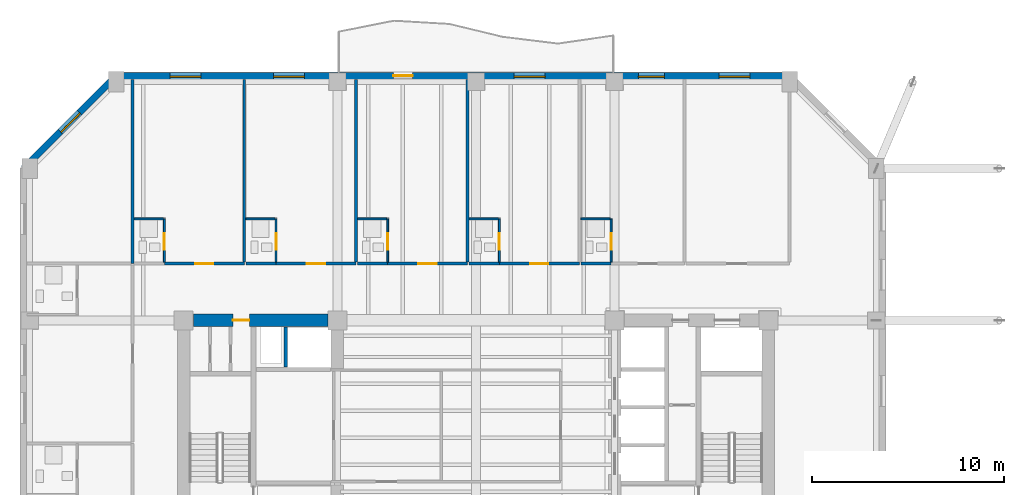
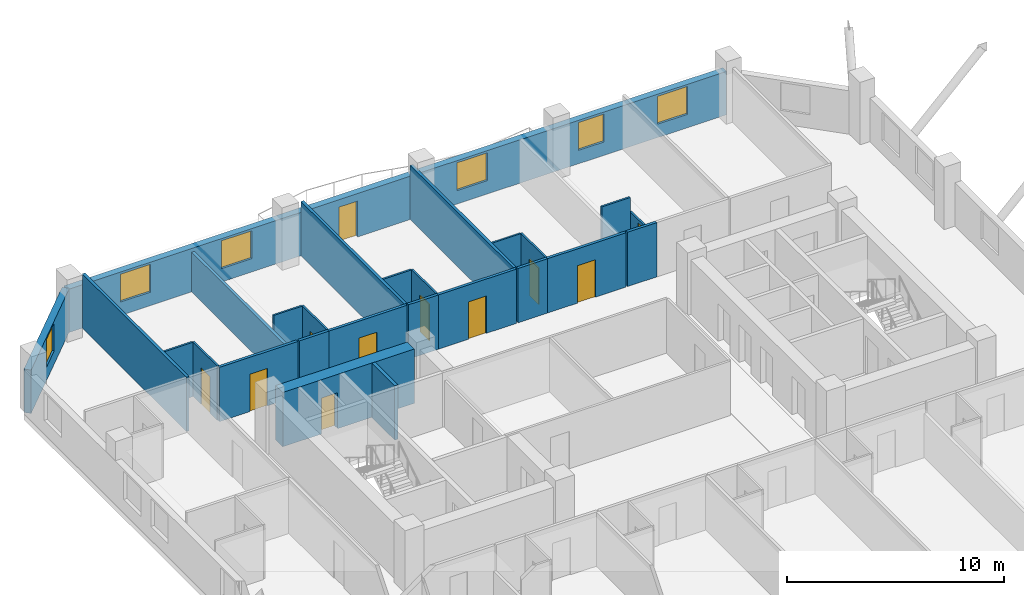
# One storey, part 8 of 14: 26 walls, 11 doors, 6 windows, 17 openings.
"""IFC4 building model written with IfcOpenShell, lengths in metres."""

import ifcopenshell
import ifcopenshell.guid

model = None  # the IFC model being written
_history = None  # IfcOwnerHistory: only IFC2X3 demands one
_inside = {}  # id of a spatial element -> (the spatial element, [elements in it])
_under = {}  # id of a project, library or spatial element -> (it, [spatial elements below it])
_declared = {}  # id of a project -> (the project, [libraries it declares])
_typed = {}  # id of a type object -> (the type object, [elements of that type])
_made_of = {}  # id of a material, layer set ... -> (it, [elements and type objects made of it])


def new_model(schema):
    """Start an empty IFC model of exactly this schema.

    Asked for "IFC4X3", IfcOpenShell would pick the latest addendum, in which some entities
    have other attributes; the version numbers below select the first issue.
    IFC2X3 requires an IfcOwnerHistory on every rooted entity: one is made here for all.
    """
    global model, _history
    if schema == "IFC4X3":
        model = ifcopenshell.file(schema_version=(4, 3, 0, 0))
    else:
        model = ifcopenshell.file(schema=schema)
    _inside.clear()
    _under.clear()
    _declared.clear()
    _typed.clear()
    _made_of.clear()
    _history = None
    if model.schema == "IFC2X3":
        org = make("IfcOrganization", Name="unknown")
        user = make(
            "IfcPersonAndOrganization",
            ThePerson=make("IfcPerson", FamilyName="unknown"),
            TheOrganization=org,
        )
        app = make(
            "IfcApplication",
            ApplicationDeveloper=org,
            Version="unknown",
            ApplicationFullName="unknown",
            ApplicationIdentifier="unknown",
        )
        _history = make(
            "IfcOwnerHistory",
            OwningUser=user,
            OwningApplication=app,
            ChangeAction="ADDED",
            CreationDate=0,
        )
    return model


def make(cls, **values):
    """One entity of the class cls with the attributes given. An attribute that is None is left unset."""
    return model.create_entity(
        cls, **{name: value for name, value in values.items() if value is not None}
    )


def rooted(cls, **values):
    """An entity with a GlobalId (a new one), such as an element, a storey or a relation."""
    return make(cls, GlobalId=ifcopenshell.guid.new(), OwnerHistory=_history, **values)


def si_unit(unit_type, name, prefix=None):
    """IfcSIUnit, for example si_unit("LENGTHUNIT", "METRE", prefix="MILLI")."""
    return make("IfcSIUnit", UnitType=unit_type, Prefix=prefix, Name=name)


def assignment(units):
    """IfcUnitAssignment: the units of a project."""
    return None if units is None else make("IfcUnitAssignment", Units=units)


def point(xyz):
    """IfcCartesianPoint."""
    return None if xyz is None else make("IfcCartesianPoint", Coordinates=xyz)


def direction(xyz):
    """IfcDirection."""
    return None if xyz is None else make("IfcDirection", DirectionRatios=xyz)


def frame(location, z_axis=None, x_axis=None):
    """IfcAxis2Placement3D, a coordinate frame: its origin and axes. An axis left out is left unset."""
    return make(
        "IfcAxis2Placement3D",
        Location=point(location),
        Axis=direction(z_axis),
        RefDirection=direction(x_axis),
    )


def frame_2d(location, x_axis=None):
    """IfcAxis2Placement2D, a coordinate frame in the plane: its origin and x axis."""
    return make(
        "IfcAxis2Placement2D", Location=point(location), RefDirection=direction(x_axis)
    )


def origin():
    """The frame at (0, 0, 0) with its axes left unset."""
    return frame((0.0, 0.0, 0.0))


def place(relative_to, where):
    """IfcLocalPlacement: puts the frame where relative to a parent placement (None: the world)."""
    return make(
        "IfcLocalPlacement", PlacementRelTo=relative_to, RelativePlacement=where
    )


def context(
    kind, dimensions, precision=None, world=None, true_north=None, identifier=None
):
    """IfcGeometricRepresentationContext, for example the 3D "Model" context."""
    return make(
        "IfcGeometricRepresentationContext",
        ContextIdentifier=identifier,
        ContextType=kind,
        CoordinateSpaceDimension=dimensions,
        Precision=precision,
        WorldCoordinateSystem=world,
        TrueNorth=true_north,
    )


def subcontext(parent, identifier, kind, view, scale=None):
    """IfcGeometricRepresentationSubContext, for example "Body" below "Model"."""
    return make(
        "IfcGeometricRepresentationSubContext",
        ContextIdentifier=identifier,
        ContextType=kind,
        ParentContext=parent,
        TargetScale=scale,
        TargetView=view,
    )


def project(units=None, contexts=None):
    """IfcProject with its units and contexts."""
    return rooted(
        "IfcProject",
        Name="project",
        RepresentationContexts=contexts,
        UnitsInContext=assignment(units),
    )


def spatial(cls, under=None, at=None, **own):
    """A site, building, storey or space (cls), placed at a placement, below another one or the project."""
    s = rooted(cls, ObjectPlacement=at, **own)
    if under is not None:
        _under.setdefault(under.id(), (under, []))[1].append(s)
    return s


def profile(cls, at=None, kind="AREA", **sizes):
    """A parametric profile (cls). Its sizes go by their IFC names, for example OverallWidth=200.0."""
    return make(cls, ProfileType=kind, Position=at, **sizes)


def rectangle(**sizes):
    """IfcRectangleProfileDef."""
    return profile("IfcRectangleProfileDef", **sizes)


def extrude(swept, where, along, depth):
    """IfcExtrudedAreaSolid: the profile swept, set in the frame where, extruded along a direction by depth."""
    return make(
        "IfcExtrudedAreaSolid",
        SweptArea=swept,
        Position=where,
        ExtrudedDirection=direction(along),
        Depth=depth,
    )


def shape(context_of_items, identifier, shape_type, items):
    """IfcShapeRepresentation: the items that make up one representation, for example the "Body"."""
    return make(
        "IfcShapeRepresentation",
        ContextOfItems=context_of_items,
        RepresentationIdentifier=identifier,
        RepresentationType=shape_type,
        Items=items,
    )


def material(Name=None, Category=None):
    """IfcMaterial."""
    return make("IfcMaterial", Name=Name, Category=Category)


def layer(
    of_material, thickness, ventilated=None, Name=None, Category=None, Priority=None
):
    """IfcMaterialLayer: one layer of a wall or slab, of a material (None: an air gap)."""
    return make(
        "IfcMaterialLayer",
        Material=of_material,
        LayerThickness=thickness,
        IsVentilated=ventilated,
        Name=Name,
        Category=Category,
        Priority=Priority,
    )


def layer_set(layers, Name=None):
    """IfcMaterialLayerSet."""
    return make("IfcMaterialLayerSet", MaterialLayers=layers, LayerSetName=Name)


def made_of(thing, what):
    """Note that an element or type object is made of a material, layer set ...; save() writes the relation."""
    if what is not None:
        _made_of.setdefault(what.id(), (what, []))[1].append(thing)
    return thing


def type_object(cls, material=None, **own):
    """A type object (cls), such as IfcWallType, which elements share."""
    return made_of(rooted(cls, **own), material)


def element(
    cls,
    number,
    at=None,
    inside=None,
    cuts=None,
    type_object=None,
    material=None,
    context=None,
    identifier="Body",
    shape_type=None,
    held_by="IfcProductDefinitionShape",
    body=None,
    shapes=None,
    **own,
):
    """One element of the class cls, such as IfcWall. Its Tag is "e" and its number.

    at: its placement. inside: the storey or other place that contains it. cuts: it is an
    opening in that element (IfcRelVoidsElement). A single representation is given by context,
    identifier, shape_type and body (its items); several are given by shapes. held_by: the class
    of the entity that holds the representations. save() writes the other relations.
    """
    e = rooted(cls, Tag="e%d" % number, ObjectPlacement=at, **own)
    if body is not None:
        shapes = [shape(context, identifier, shape_type, body)]
    if shapes is not None:
        e.Representation = make(held_by, Representations=shapes)
    if inside is not None:
        _inside.setdefault(inside.id(), (inside, []))[1].append(e)
    if cuts is not None:
        rooted(
            "IfcRelVoidsElement", RelatingBuildingElement=cuts, RelatedOpeningElement=e
        )
    if type_object is not None:
        _typed.setdefault(type_object.id(), (type_object, []))[1].append(e)
    return made_of(e, material)


def fill(opening, filler):
    """IfcRelFillsElement: the door or window that sits in an opening."""
    return rooted(
        "IfcRelFillsElement",
        RelatingOpeningElement=opening,
        RelatedBuildingElement=filler,
    )


def aggregate(whole, parts):
    """IfcRelAggregates: a whole, such as a stair, and the parts it consists of."""
    return rooted("IfcRelAggregates", RelatingObject=whole, RelatedObjects=parts)


def save(model, path):
    """Write the relations noted so far, then the file.

    IfcRelAggregates (storeys below a building ...), IfcRelContainedInSpatialStructure (elements
    in a storey), IfcRelDefinesByType, IfcRelAssociatesMaterial and IfcRelDeclares: one each for
    every whole, place, type object, material and project.
    """
    for whole, parts in _under.values():
        aggregate(whole, parts)
    for where, things in _inside.values():
        rooted(
            "IfcRelContainedInSpatialStructure",
            RelatedElements=things,
            RelatingStructure=where,
        )
    for kind, things in _typed.values():
        rooted("IfcRelDefinesByType", RelatedObjects=things, RelatingType=kind)
    for what, things in _made_of.values():
        rooted("IfcRelAssociatesMaterial", RelatedObjects=things, RelatingMaterial=what)
    for by, libraries in _declared.values():
        rooted("IfcRelDeclares", RelatingContext=by, RelatedDefinitions=libraries)
    model.write(path)


model = new_model("IFC4")

# Units and contexts
model_context = context("Model", 3, precision=1e-05, world=origin(), true_north=direction((0.0, 1.0)))
body_context = subcontext(model_context, "Body", "Model", "MODEL_VIEW")
ifc_project = project(units=[si_unit("LENGTHUNIT", "METRE"), si_unit("AREAUNIT", "SQUARE_METRE"), si_unit("VOLUMEUNIT", "CUBIC_METRE"), si_unit("PLANEANGLEUNIT", "RADIAN"), si_unit("MASSUNIT", "GRAM", prefix="KILO")], contexts=[model_context])

# Site, building, storey
site_placement = place(None, origin())
site = spatial("IfcSite", under=ifc_project, at=site_placement, CompositionType="ELEMENT")
building_placement = place(site_placement, origin())
building = spatial("IfcBuilding", under=site, at=building_placement, Name="Kranthara Brick Stack", CompositionType="ELEMENT")
storey_placement = place(building_placement, frame((0.0, 0.0, 137.800048828125)))
storey = spatial("IfcBuildingStorey", under=building, at=storey_placement, Name="L34", CompositionType="ELEMENT", Elevation=137.800048828125)

# Wall, opening, window
ifc_material_1 = material(Name="Kiln-fired clay brick masonry M15", Category="masonry")
ifc_layer_1 = layer(ifc_material_1, 0.35009765625)
ifc_layer_set_1 = layer_set([ifc_layer_1], Name="Kiln-fired clay brick masonry M15")
wall_type_1 = type_object("IfcWallType", Name="WL-BRK-SPND-350", PredefinedType="STANDARD", material=ifc_layer_set_1)
wall_1_placement = place(storey_placement, frame((4.4951171875, 41.5, 0.0), z_axis=(0.0, 0.0, 1.0), x_axis=(0.707106781187, 0.707106781187, 0.0)))
wall_1 = element("IfcWall", 1, at=wall_1_placement, inside=storey, type_object=wall_type_1, Name="L34 Exterior Brick Facade Wall NW 1", PredefinedType="STANDARD", context=body_context, shape_type="SweptSolid", body=[
    extrude(rectangle(XDim=6.795166015625, YDim=0.35009765625, at=frame_2d((3.3974609375, 0.0))), origin(), (0.0, 0.0, 1.0), 2.43505859375),
])
opening_1_placement = place(wall_1_placement, frame((2.697998046875, 0.0, 0.75)))
opening_1 = element("IfcOpeningElement", 2, at=opening_1_placement, cuts=wall_1, Name="Opening WN10", PredefinedType="OPENING", context=body_context, shape_type="SweptSolid", body=[
    extrude(rectangle(XDim=1.39990234375, YDim=1.56494140625, at=frame_2d((0.699951171875, 0.782470703125))), frame((0.0, 0.18505859375, 0.0), z_axis=(0.0, -1.0, 0.0), x_axis=(1.0, 0.0, 0.0)), (0.0, 0.0, 1.0), 0.3701171875),
])
ifc_material_2 = material(Name="Double-glazed low-E solar control glass", Category="glass")
window_type_1 = type_object("IfcWindowType", Name="WN-CHM-1400x1750", PartitioningType="SINGLE_PANEL", PredefinedType="WINDOW", material=ifc_material_2)
window_1_placement = place(opening_1_placement, origin())
window_1 = element("IfcWindow", 3, at=window_1_placement, inside=storey, type_object=window_type_1, Name="L34 NW Chamfer Corner Window", OverallHeight=1.56494140625, OverallWidth=1.39990234375, PartitioningType="SINGLE_PANEL", PredefinedType="WINDOW", context=body_context, shape_type="SweptSolid", body=[
    extrude(rectangle(XDim=1.39990234375, YDim=1.56494140625, at=frame_2d((0.699951171875, 0.782470703125))), frame((0.0, -0.010009765625, 0.0), z_axis=(0.0, -1.0, 0.0), x_axis=(1.0, 0.0, 0.0)), (0.0, 0.0, 1.0), 0.06005859375),
])
fill(opening_1, window_1)

# Wall, openings, door, windows
wall_2_placement = place(storey_placement, frame((9.300048828125, 46.304931640625, 0.0), z_axis=(0.0, 0.0, 1.0), x_axis=(1.0, 0.0, 0.0)))
wall_2 = element("IfcWall", 4, at=wall_2_placement, inside=storey, type_object=wall_type_1, Name="L34 Exterior Brick Facade Wall NORTH 1", PredefinedType="STANDARD", context=body_context, shape_type="SweptSolid", body=[
    extrude(rectangle(XDim=35.0, YDim=0.35009765625, at=frame_2d((17.5, 0.0))), origin(), (0.0, 0.0, 1.0), 2.43505859375),
])
opening_2_placement = place(wall_2_placement, frame((14.39990234375, 0.0, 0.0)))
opening_2 = element("IfcOpeningElement", 5, at=opening_2_placement, cuts=wall_2, Name="Opening D03", PredefinedType="OPENING", context=body_context, shape_type="SweptSolid", body=[
    extrude(rectangle(XDim=1.0, YDim=2.02001953125, at=frame_2d((0.5, 1.010009765625))), frame((0.0, 0.18505859375, 0.0), z_axis=(0.0, -1.0, 0.0), x_axis=(1.0, 0.0, 0.0)), (0.0, 0.0, 1.0), 0.3701171875),
])
opening_3_placement = place(wall_2_placement, frame((2.800048828125, 0.0, 0.75)))
opening_3 = element("IfcOpeningElement", 6, at=opening_3_placement, cuts=wall_2, Name="Opening WN04", PredefinedType="OPENING", context=body_context, shape_type="SweptSolid", body=[
    extrude(rectangle(XDim=1.60009765625, YDim=1.56494140625, at=frame_2d((0.800048828125, 0.782470703125))), frame((0.0, 0.18505859375, 0.0), z_axis=(0.0, -1.0, 0.0), x_axis=(1.0, 0.0, 0.0)), (0.0, 0.0, 1.0), 0.3701171875),
])
opening_4_placement = place(wall_2_placement, frame((8.177978515625, 0.0, 0.75)))
opening_4 = element("IfcOpeningElement", 7, at=opening_4_placement, cuts=wall_2, Name="Opening WN04", PredefinedType="OPENING", context=body_context, shape_type="SweptSolid", body=[
    extrude(rectangle(XDim=1.60009765625, YDim=1.56494140625, at=frame_2d((0.800048828125, 0.782470703125))), frame((0.0, 0.18505859375, 0.0), z_axis=(0.0, -1.0, 0.0), x_axis=(1.0, 0.0, 0.0)), (0.0, 0.0, 1.0), 0.3701171875),
])
opening_5_placement = place(wall_2_placement, frame((20.68603515625, 0.0, 0.75)))
opening_5 = element("IfcOpeningElement", 8, at=opening_5_placement, cuts=wall_2, Name="Opening WN04", PredefinedType="OPENING", context=body_context, shape_type="SweptSolid", body=[
    extrude(rectangle(XDim=1.60009765625, YDim=1.56494140625, at=frame_2d((0.800048828125, 0.782470703125))), frame((0.0, 0.18505859375, 0.0), z_axis=(0.0, -1.0, 0.0), x_axis=(1.0, 0.0, 0.0)), (0.0, 0.0, 1.0), 0.3701171875),
])
opening_6_placement = place(wall_2_placement, frame((27.14306640625, 0.0, 0.75)))
opening_6 = element("IfcOpeningElement", 9, at=opening_6_placement, cuts=wall_2, Name="Opening WN06", PredefinedType="OPENING", context=body_context, shape_type="SweptSolid", body=[
    extrude(rectangle(XDim=1.35009765625, YDim=1.56494140625, at=frame_2d((0.675048828125, 0.782470703125))), frame((0.0, 0.18505859375, 0.0), z_axis=(0.0, -1.0, 0.0), x_axis=(1.0, 0.0, 0.0)), (0.0, 0.0, 1.0), 0.3701171875),
])
opening_7_placement = place(wall_2_placement, frame((31.330078125, 0.0, 0.75)))
opening_7 = element("IfcOpeningElement", 10, at=opening_7_placement, cuts=wall_2, Name="Opening WN04", PredefinedType="OPENING", context=body_context, shape_type="SweptSolid", body=[
    extrude(rectangle(XDim=1.60009765625, YDim=1.56494140625, at=frame_2d((0.800048828125, 0.782470703125))), frame((0.0, 0.18505859375, 0.0), z_axis=(0.0, -1.0, 0.0), x_axis=(1.0, 0.0, 0.0)), (0.0, 0.0, 1.0), 0.3701171875),
])
ifc_material_3 = material(Name="Bronze anodised aluminium and laminated glass", Category="aluminium")
door_type_1 = type_object("IfcDoorType", Name="DR-BALC-1000", OperationType="NOTDEFINED", PredefinedType="DOOR", material=ifc_material_3)
door_1_placement = place(opening_2_placement, origin())
door_1 = element("IfcDoor", 11, at=door_1_placement, inside=storey, type_object=door_type_1, Name="L34 North Balcony Terrace Door", OperationType="SINGLE_SWING_RIGHT", OverallHeight=2.02001953125, OverallWidth=1.0, PredefinedType="DOOR", context=body_context, shape_type="SweptSolid", body=[
    extrude(rectangle(XDim=1.0, YDim=2.02001953125, at=frame_2d((0.5, 1.010009765625))), frame((0.0, 0.02490234375, 0.0), z_axis=(0.0, -1.0, 0.0), x_axis=(1.0, 0.0, 0.0)), (0.0, 0.0, 1.0), 0.050048828125),
])
fill(opening_2, door_1)
ifc_material_4 = material(Name="Double-glazed low-E solar control glass", Category="glass")
window_type_2 = type_object("IfcWindowType", Name="WN-HTL-1350x1850", PartitioningType="SINGLE_PANEL", PredefinedType="WINDOW", material=ifc_material_4)
window_2_placement = place(opening_6_placement, origin())
window_2 = element("IfcWindow", 12, at=window_2_placement, inside=storey, type_object=window_type_2, Name="L34 North Deep-Set Brick Window 04", OverallHeight=1.56494140625, OverallWidth=1.35009765625, PartitioningType="SINGLE_PANEL", PredefinedType="WINDOW", context=body_context, shape_type="SweptSolid", body=[
    extrude(rectangle(XDim=1.35009765625, YDim=1.56494140625, at=frame_2d((0.675048828125, 0.782470703125))), frame((0.0, -0.010009765625, 0.0), z_axis=(0.0, -1.0, 0.0), x_axis=(1.0, 0.0, 0.0)), (0.0, 0.0, 1.0), 0.06005859375),
])
fill(opening_6, window_2)
ifc_material_5 = material(Name="Double-glazed low-E solar control glass", Category="glass")
window_type_3 = type_object("IfcWindowType", Name="WN-HTL-1600x1850", PartitioningType="DOUBLE_PANEL_VERTICAL", PredefinedType="WINDOW", material=ifc_material_5)
window_3_placement = place(opening_3_placement, origin())
window_3 = element("IfcWindow", 13, at=window_3_placement, inside=storey, type_object=window_type_3, Name="L34 North Deep-Set Brick Window 01", OverallHeight=1.56494140625, OverallWidth=1.60009765625, PartitioningType="SINGLE_PANEL", PredefinedType="WINDOW", context=body_context, shape_type="SweptSolid", body=[
    extrude(rectangle(XDim=1.60009765625, YDim=1.56494140625, at=frame_2d((0.800048828125, 0.782470703125))), frame((0.0, -0.010009765625, 0.0), z_axis=(0.0, -1.0, 0.0), x_axis=(1.0, 0.0, 0.0)), (0.0, 0.0, 1.0), 0.06005859375),
])
fill(opening_3, window_3)
window_4_placement = place(opening_4_placement, origin())
window_4 = element("IfcWindow", 14, at=window_4_placement, inside=storey, type_object=window_type_3, Name="L34 North Deep-Set Brick Window 02", OverallHeight=1.56494140625, OverallWidth=1.60009765625, PartitioningType="SINGLE_PANEL", PredefinedType="WINDOW", context=body_context, shape_type="SweptSolid", body=[
    extrude(rectangle(XDim=1.60009765625, YDim=1.56494140625, at=frame_2d((0.800048828125, 0.782470703125))), frame((0.0, -0.010009765625, 0.0), z_axis=(0.0, -1.0, 0.0), x_axis=(1.0, 0.0, 0.0)), (0.0, 0.0, 1.0), 0.06005859375),
])
fill(opening_4, window_4)
window_5_placement = place(opening_5_placement, origin())
window_5 = element("IfcWindow", 15, at=window_5_placement, inside=storey, type_object=window_type_3, Name="L34 North Deep-Set Brick Window 03", OverallHeight=1.56494140625, OverallWidth=1.60009765625, PartitioningType="SINGLE_PANEL", PredefinedType="WINDOW", context=body_context, shape_type="SweptSolid", body=[
    extrude(rectangle(XDim=1.60009765625, YDim=1.56494140625, at=frame_2d((0.800048828125, 0.782470703125))), frame((0.0, -0.010009765625, 0.0), z_axis=(0.0, -1.0, 0.0), x_axis=(1.0, 0.0, 0.0)), (0.0, 0.0, 1.0), 0.06005859375),
])
fill(opening_5, window_5)
window_6_placement = place(opening_7_placement, origin())
window_6 = element("IfcWindow", 16, at=window_6_placement, inside=storey, type_object=window_type_3, Name="L34 North Deep-Set Brick Window 05", OverallHeight=1.56494140625, OverallWidth=1.60009765625, PartitioningType="SINGLE_PANEL", PredefinedType="WINDOW", context=body_context, shape_type="SweptSolid", body=[
    extrude(rectangle(XDim=1.60009765625, YDim=1.56494140625, at=frame_2d((0.800048828125, 0.782470703125))), frame((0.0, -0.010009765625, 0.0), z_axis=(0.0, -1.0, 0.0), x_axis=(1.0, 0.0, 0.0)), (0.0, 0.0, 1.0), 0.06005859375),
])
fill(opening_7, window_6)

# Wall, opening, door
ifc_material_6 = material(Name="Concrete C60/75", Category="concrete")
ifc_layer_2 = layer(ifc_material_6, 0.64990234375)
ifc_layer_set_2 = layer_set([ifc_layer_2], Name="Concrete C60/75")
wall_type_2 = type_object("IfcWallType", Name="WL-CORE-650", PredefinedType="SHEAR", material=ifc_layer_set_2)
wall_3_placement = place(storey_placement, frame((13.304931640625, 33.60009765625, 0.0), z_axis=(0.0, 0.0, 1.0), x_axis=(1.0, 0.0, 0.0)))
wall_3 = element("IfcWall", 17, at=wall_3_placement, inside=storey, type_object=wall_type_2, Name="L34 West Core Shear Wall North", PredefinedType="SHEAR", context=body_context, shape_type="SweptSolid", body=[
    extrude(rectangle(XDim=6.989990234375, YDim=0.64990234375, at=frame_2d((3.4951171875, 0.0))), origin(), (0.0, 0.0, 1.0), 3.050048828125),
])
opening_8_placement = place(wall_3_placement, frame((2.06494140625, 0.0, 0.0)))
opening_8 = element("IfcOpeningElement", 18, at=opening_8_placement, cuts=wall_3, Name="Opening D10", PredefinedType="OPENING", context=body_context, shape_type="SweptSolid", body=[
    extrude(rectangle(XDim=0.85009765625, YDim=2.02001953125, at=frame_2d((0.425048828125, 1.010009765625))), frame((0.0, 0.3349609375, 0.0), z_axis=(0.0, -1.0, 0.0), x_axis=(1.0, 0.0, 0.0)), (0.0, 0.0, 1.0), 0.669921875),
])
ifc_material_7 = material(Name="Solid-core hardwood timber leaf in steel frame", Category="steel")
door_type_2 = type_object("IfcDoorType", Name="DR-RSR-850", OperationType="NOTDEFINED", PredefinedType="DOOR", material=ifc_material_7)
door_2_placement = place(opening_8_placement, origin())
door_2 = element("IfcDoor", 19, at=door_2_placement, inside=storey, type_object=door_type_2, Name="L34 West Core Service Door 1", OperationType="SINGLE_SWING_RIGHT", OverallHeight=2.02001953125, OverallWidth=0.85009765625, PredefinedType="DOOR", context=body_context, shape_type="SweptSolid", body=[
    extrude(rectangle(XDim=0.85009765625, YDim=2.02001953125, at=frame_2d((0.425048828125, 1.010009765625))), frame((0.0, 0.02490234375, 0.0), z_axis=(0.0, -1.0, 0.0), x_axis=(1.0, 0.0, 0.0)), (0.0, 0.0, 1.0), 0.050048828125),
])
fill(opening_8, door_2)

ifc_material_8 = material(Name="Moisture-resistant wet-room partition", Category="other")
ifc_layer_3 = layer(ifc_material_8, 0.10009765625)
ifc_layer_set_3 = layer_set([ifc_layer_3], Name="Moisture-resistant wet-room partition")
wall_type_3 = type_object("IfcWallType", Name="WL-PART-100", PredefinedType="PARTITIONING", material=ifc_layer_set_3)
wall_4_placement = place(storey_placement, frame((11.800048828125, 36.6298828125, 0.0), z_axis=(0.0, 0.0, 1.0), x_axis=(0.0, 1.0, 0.0)))
wall_4 = element("IfcWall", 20, at=wall_4_placement, inside=storey, type_object=wall_type_3, Name="L34 Interior Partition 043", PredefinedType="PARTITIONING", context=body_context, shape_type="SweptSolid", body=[
    extrude(rectangle(XDim=2.25, YDim=0.10009765625, at=frame_2d((1.125, 0.0))), origin(), (0.0, 0.0, 1.0), 3.050048828125),
])
opening_9_placement = place(wall_4_placement, frame((0.639892578125, 0.0, 0.0)))
opening_9 = element("IfcOpeningElement", 21, at=opening_9_placement, cuts=wall_4, Name="Opening D17", PredefinedType="OPENING", context=body_context, shape_type="SweptSolid", body=[
    extrude(rectangle(XDim=0.85009765625, YDim=2.050048828125, at=frame_2d((0.425048828125, 1.02490234375))), frame((0.0, 0.06005859375, 0.0), z_axis=(0.0, -1.0, 0.0), x_axis=(1.0, 0.0, 0.0)), (0.0, 0.0, 1.0), 0.1201171875),
])
ifc_material_9 = material(Name="Solid-core hardwood timber leaf in steel frame", Category="steel")
door_type_3 = type_object("IfcDoorType", Name="DR-WET-850", OperationType="NOTDEFINED", PredefinedType="DOOR", material=ifc_material_9)
door_3_placement = place(opening_9_placement, origin())
door_3 = element("IfcDoor", 22, at=door_3_placement, inside=storey, type_object=door_type_3, Name="L34 Key 07 En-Suite Door 19", OperationType="SINGLE_SWING_LEFT", OverallHeight=2.050048828125, OverallWidth=0.85009765625, PredefinedType="DOOR", context=body_context, shape_type="SweptSolid", body=[
    extrude(rectangle(XDim=0.85009765625, YDim=2.050048828125, at=frame_2d((0.425048828125, 1.02490234375))), frame((0.0, 0.02490234375, 0.0), z_axis=(0.0, -1.0, 0.0), x_axis=(1.0, 0.0, 0.0)), (0.0, 0.0, 1.0), 0.050048828125),
])
fill(opening_9, door_3)

# Wall
wall_5_placement = place(storey_placement, frame((10.22998046875, 38.8798828125, 0.0), z_axis=(0.0, 0.0, 1.0), x_axis=(1.0, 0.0, 0.0)))
element("IfcWall", 23, at=wall_5_placement, inside=storey, type_object=wall_type_3, Name="L34 Interior Partition 044", PredefinedType="PARTITIONING", context=body_context, shape_type="SweptSolid", body=[
    extrude(rectangle(XDim=1.51513671875, YDim=0.10009765625, at=frame_2d((0.757568359375, 0.0))), origin(), (0.0, 0.0, 1.0), 3.050048828125),
])

# Wall, opening, door
wall_6_placement = place(storey_placement, frame((17.60595703125, 36.6298828125, 0.0), z_axis=(0.0, 0.0, 1.0), x_axis=(0.0, 1.0, 0.0)))
wall_6 = element("IfcWall", 24, at=wall_6_placement, inside=storey, type_object=wall_type_3, Name="L34 Interior Partition 048", PredefinedType="PARTITIONING", context=body_context, shape_type="SweptSolid", body=[
    extrude(rectangle(XDim=2.25, YDim=0.10009765625, at=frame_2d((1.125, 0.0))), origin(), (0.0, 0.0, 1.0), 3.050048828125),
])
opening_10_placement = place(wall_6_placement, frame((0.639892578125, 0.0, 0.0)))
opening_10 = element("IfcOpeningElement", 25, at=opening_10_placement, cuts=wall_6, Name="Opening D17", PredefinedType="OPENING", context=body_context, shape_type="SweptSolid", body=[
    extrude(rectangle(XDim=0.85009765625, YDim=2.050048828125, at=frame_2d((0.425048828125, 1.02490234375))), frame((0.0, 0.06005859375, 0.0), z_axis=(0.0, -1.0, 0.0), x_axis=(1.0, 0.0, 0.0)), (0.0, 0.0, 1.0), 0.1201171875),
])
door_4_placement = place(opening_10_placement, origin())
door_4 = element("IfcDoor", 26, at=door_4_placement, inside=storey, type_object=door_type_3, Name="L34 Key 08 En-Suite Door 21", OperationType="SINGLE_SWING_LEFT", OverallHeight=2.050048828125, OverallWidth=0.85009765625, PredefinedType="DOOR", context=body_context, shape_type="SweptSolid", body=[
    extrude(rectangle(XDim=0.85009765625, YDim=2.050048828125, at=frame_2d((0.425048828125, 1.02490234375))), frame((0.0, 0.02490234375, 0.0), z_axis=(0.0, -1.0, 0.0), x_axis=(1.0, 0.0, 0.0)), (0.0, 0.0, 1.0), 0.050048828125),
])
fill(opening_10, door_4)

# Wall
wall_7_placement = place(storey_placement, frame((16.035888671875, 38.8798828125, 0.0), z_axis=(0.0, 0.0, 1.0), x_axis=(1.0, 0.0, 0.0)))
element("IfcWall", 27, at=wall_7_placement, inside=storey, type_object=wall_type_3, Name="L34 Interior Partition 049", PredefinedType="PARTITIONING", context=body_context, shape_type="SweptSolid", body=[
    extrude(rectangle(XDim=1.51513671875, YDim=0.10009765625, at=frame_2d((0.757568359375, 0.0))), origin(), (0.0, 0.0, 1.0), 3.050048828125),
])

# Wall, opening, door
wall_8_placement = place(storey_placement, frame((23.410888671875, 36.6298828125, 0.0), z_axis=(0.0, 0.0, 1.0), x_axis=(0.0, 1.0, 0.0)))
wall_8 = element("IfcWall", 28, at=wall_8_placement, inside=storey, type_object=wall_type_3, Name="L34 Interior Partition 053", PredefinedType="PARTITIONING", context=body_context, shape_type="SweptSolid", body=[
    extrude(rectangle(XDim=2.25, YDim=0.10009765625, at=frame_2d((1.125, 0.0))), origin(), (0.0, 0.0, 1.0), 3.050048828125),
])
opening_11_placement = place(wall_8_placement, frame((0.639892578125, 0.0, 0.0)))
opening_11 = element("IfcOpeningElement", 29, at=opening_11_placement, cuts=wall_8, Name="Opening D17", PredefinedType="OPENING", context=body_context, shape_type="SweptSolid", body=[
    extrude(rectangle(XDim=0.85009765625, YDim=2.050048828125, at=frame_2d((0.425048828125, 1.02490234375))), frame((0.0, 0.06005859375, 0.0), z_axis=(0.0, -1.0, 0.0), x_axis=(1.0, 0.0, 0.0)), (0.0, 0.0, 1.0), 0.1201171875),
])
door_5_placement = place(opening_11_placement, origin())
door_5 = element("IfcDoor", 30, at=door_5_placement, inside=storey, type_object=door_type_3, Name="L34 Key 09 En-Suite Door 23", OperationType="SINGLE_SWING_LEFT", OverallHeight=2.050048828125, OverallWidth=0.85009765625, PredefinedType="DOOR", context=body_context, shape_type="SweptSolid", body=[
    extrude(rectangle(XDim=0.85009765625, YDim=2.050048828125, at=frame_2d((0.425048828125, 1.02490234375))), frame((0.0, 0.02490234375, 0.0), z_axis=(0.0, -1.0, 0.0), x_axis=(1.0, 0.0, 0.0)), (0.0, 0.0, 1.0), 0.050048828125),
])
fill(opening_11, door_5)

# Wall
wall_9_placement = place(storey_placement, frame((21.841064453125, 38.8798828125, 0.0), z_axis=(0.0, 0.0, 1.0), x_axis=(1.0, 0.0, 0.0)))
element("IfcWall", 31, at=wall_9_placement, inside=storey, type_object=wall_type_3, Name="L34 Interior Partition 054", PredefinedType="PARTITIONING", context=body_context, shape_type="SweptSolid", body=[
    extrude(rectangle(XDim=1.514892578125, YDim=0.10009765625, at=frame_2d((0.75732421875, 0.0))), origin(), (0.0, 0.0, 1.0), 3.050048828125),
])

# Wall, opening, door
wall_10_placement = place(storey_placement, frame((29.216064453125, 36.6298828125, 0.0), z_axis=(0.0, 0.0, 1.0), x_axis=(0.0, 1.0, 0.0)))
wall_10 = element("IfcWall", 32, at=wall_10_placement, inside=storey, type_object=wall_type_3, Name="L34 Interior Partition 058", PredefinedType="PARTITIONING", context=body_context, shape_type="SweptSolid", body=[
    extrude(rectangle(XDim=2.25, YDim=0.10009765625, at=frame_2d((1.125, 0.0))), origin(), (0.0, 0.0, 1.0), 3.050048828125),
])
opening_12_placement = place(wall_10_placement, frame((0.639892578125, 0.0, 0.0)))
opening_12 = element("IfcOpeningElement", 33, at=opening_12_placement, cuts=wall_10, Name="Opening D17", PredefinedType="OPENING", context=body_context, shape_type="SweptSolid", body=[
    extrude(rectangle(XDim=0.85009765625, YDim=2.050048828125, at=frame_2d((0.425048828125, 1.02490234375))), frame((0.0, 0.06005859375, 0.0), z_axis=(0.0, -1.0, 0.0), x_axis=(1.0, 0.0, 0.0)), (0.0, 0.0, 1.0), 0.1201171875),
])
door_6_placement = place(opening_12_placement, origin())
door_6 = element("IfcDoor", 34, at=door_6_placement, inside=storey, type_object=door_type_3, Name="L34 Key 10 En-Suite Door 25", OperationType="SINGLE_SWING_LEFT", OverallHeight=2.050048828125, OverallWidth=0.85009765625, PredefinedType="DOOR", context=body_context, shape_type="SweptSolid", body=[
    extrude(rectangle(XDim=0.85009765625, YDim=2.050048828125, at=frame_2d((0.425048828125, 1.02490234375))), frame((0.0, 0.02490234375, 0.0), z_axis=(0.0, -1.0, 0.0), x_axis=(1.0, 0.0, 0.0)), (0.0, 0.0, 1.0), 0.050048828125),
])
fill(opening_12, door_6)

# Wall
wall_11_placement = place(storey_placement, frame((27.64599609375, 38.8798828125, 0.0), z_axis=(0.0, 0.0, 1.0), x_axis=(1.0, 0.0, 0.0)))
element("IfcWall", 35, at=wall_11_placement, inside=storey, type_object=wall_type_3, Name="L34 Interior Partition 059", PredefinedType="PARTITIONING", context=body_context, shape_type="SweptSolid", body=[
    extrude(rectangle(XDim=1.514892578125, YDim=0.10009765625, at=frame_2d((0.75732421875, 0.0))), origin(), (0.0, 0.0, 1.0), 3.050048828125),
])

# Wall, opening, door
wall_12_placement = place(storey_placement, frame((35.02197265625, 36.6298828125, 0.0), z_axis=(0.0, 0.0, 1.0), x_axis=(0.0, 1.0, 0.0)))
wall_12 = element("IfcWall", 36, at=wall_12_placement, inside=storey, type_object=wall_type_3, Name="L34 Interior Partition 063", PredefinedType="PARTITIONING", context=body_context, shape_type="SweptSolid", body=[
    extrude(rectangle(XDim=2.25, YDim=0.10009765625, at=frame_2d((1.125, 0.0))), origin(), (0.0, 0.0, 1.0), 2.23486328125),
])
opening_13_placement = place(wall_12_placement, frame((0.639892578125, 0.0, 0.0)))
opening_13 = element("IfcOpeningElement", 37, at=opening_13_placement, cuts=wall_12, Name="Opening D17", PredefinedType="OPENING", context=body_context, shape_type="SweptSolid", body=[
    extrude(rectangle(XDim=0.85009765625, YDim=2.050048828125, at=frame_2d((0.425048828125, 1.02490234375))), frame((0.0, 0.06005859375, 0.0), z_axis=(0.0, -1.0, 0.0), x_axis=(1.0, 0.0, 0.0)), (0.0, 0.0, 1.0), 0.1201171875),
])
door_7_placement = place(opening_13_placement, origin())
door_7 = element("IfcDoor", 38, at=door_7_placement, inside=storey, type_object=door_type_3, Name="L34 Key 11 En-Suite Door 27", OperationType="SINGLE_SWING_LEFT", OverallHeight=2.050048828125, OverallWidth=0.85009765625, PredefinedType="DOOR", context=body_context, shape_type="SweptSolid", body=[
    extrude(rectangle(XDim=0.85009765625, YDim=2.050048828125, at=frame_2d((0.425048828125, 1.02490234375))), frame((0.0, 0.02490234375, 0.0), z_axis=(0.0, -1.0, 0.0), x_axis=(1.0, 0.0, 0.0)), (0.0, 0.0, 1.0), 0.050048828125),
])
fill(opening_13, door_7)

# Walls
wall_13_placement = place(storey_placement, frame((33.451904296875, 38.8798828125, 0.0), z_axis=(0.0, 0.0, 1.0), x_axis=(1.0, 0.0, 0.0)))
element("IfcWall", 39, at=wall_13_placement, inside=storey, type_object=wall_type_3, Name="L34 Interior Partition 064", PredefinedType="PARTITIONING", context=body_context, shape_type="SweptSolid", body=[
    extrude(rectangle(XDim=1.51513671875, YDim=0.10009765625, at=frame_2d((0.757568359375, 0.0))), origin(), (0.0, 0.0, 1.0), 3.050048828125),
])
ifc_material_10 = material(Name="Fire-rated gypsum board partition", Category="other")
ifc_layer_4 = layer(ifc_material_10, 0.14990234375)
ifc_layer_set_4 = layer_set([ifc_layer_4], Name="Fire-rated gypsum board partition")
wall_type_4 = type_object("IfcWallType", Name="WL-PART-150", PredefinedType="PARTITIONING", material=ifc_layer_set_4)
wall_14_placement = place(storey_placement, frame((10.14990234375, 36.550048828125, 0.0), z_axis=(0.0, 0.0, 1.0), x_axis=(0.0, 1.0, 0.0)))
element("IfcWall", 40, at=wall_14_placement, inside=storey, type_object=wall_type_4, Name="L34 Interior Partition 040", PredefinedType="PARTITIONING", context=body_context, shape_type="SweptSolid", body=[
    extrude(rectangle(XDim=9.574951171875, YDim=0.14990234375, at=frame_2d((4.78759765625, 0.0))), origin(), (0.0, 0.0, 1.0), 3.050048828125),
])

# Wall, opening, door
wall_15_placement = place(storey_placement, frame((11.800048828125, 36.550048828125, 0.0), z_axis=(0.0, 0.0, 1.0), x_axis=(1.0, 0.0, 0.0)))
wall_15 = element("IfcWall", 41, at=wall_15_placement, inside=storey, type_object=wall_type_4, Name="L34 Interior Partition 042", PredefinedType="PARTITIONING", context=body_context, shape_type="SweptSolid", body=[
    extrude(rectangle(XDim=4.156005859375, YDim=0.14990234375, at=frame_2d((2.078125, 0.0))), origin(), (0.0, 0.0, 1.0), 3.050048828125),
])
opening_14_placement = place(wall_15_placement, frame((1.597900390625, 0.0, 0.0)))
opening_14 = element("IfcOpeningElement", 42, at=opening_14_placement, cuts=wall_15, Name="Opening D09", PredefinedType="OPENING", context=body_context, shape_type="SweptSolid", body=[
    extrude(rectangle(XDim=0.949951171875, YDim=2.10009765625, at=frame_2d((0.47509765625, 1.050048828125))), frame((0.0, 0.0849609375, 0.0), z_axis=(0.0, -1.0, 0.0), x_axis=(1.0, 0.0, 0.0)), (0.0, 0.0, 1.0), 0.169921875),
])
ifc_material_11 = material(Name="Solid-core hardwood timber leaf in steel frame", Category="steel")
door_type_4 = type_object("IfcDoorType", Name="DR-FD-950", OperationType="NOTDEFINED", PredefinedType="DOOR", material=ifc_material_11)
door_8_placement = place(opening_14_placement, origin())
door_8 = element("IfcDoor", 43, at=door_8_placement, inside=storey, type_object=door_type_4, Name="L34 Key 07 Entry 20", OperationType="SINGLE_SWING_RIGHT", OverallHeight=2.10009765625, OverallWidth=0.949951171875, PredefinedType="DOOR", context=body_context, shape_type="SweptSolid", body=[
    extrude(rectangle(XDim=0.949951171875, YDim=2.10009765625, at=frame_2d((0.47509765625, 1.050048828125))), frame((0.0, 0.02490234375, 0.0), z_axis=(0.0, -1.0, 0.0), x_axis=(1.0, 0.0, 0.0)), (0.0, 0.0, 1.0), 0.050048828125),
])
fill(opening_14, door_8)

# Walls
wall_16_placement = place(storey_placement, frame((15.9560546875, 36.6298828125, 0.0), z_axis=(0.0, 0.0, 1.0), x_axis=(0.0, 1.0, 0.0)))
element("IfcWall", 44, at=wall_16_placement, inside=storey, type_object=wall_type_4, Name="L34 Interior Partition 045", PredefinedType="PARTITIONING", context=body_context, shape_type="SweptSolid", body=[
    extrude(rectangle(XDim=9.4951171875, YDim=0.14990234375, at=frame_2d((4.74755859375, 0.0))), origin(), (0.0, 0.0, 1.0), 2.23486328125),
])
wall_17_placement = place(storey_placement, frame((16.035888671875, 36.550048828125, 0.0), z_axis=(0.0, 0.0, 1.0), x_axis=(1.0, 0.0, 0.0)))
element("IfcWall", 45, at=wall_17_placement, inside=storey, type_object=wall_type_4, Name="L34 Interior Partition 046", PredefinedType="PARTITIONING", context=body_context, shape_type="SweptSolid", body=[
    extrude(rectangle(XDim=1.570068359375, YDim=0.14990234375, at=frame_2d((0.78515625, 0.0))), origin(), (0.0, 0.0, 1.0), 3.050048828125),
])

# Wall, opening, door
wall_18_placement = place(storey_placement, frame((17.60595703125, 36.550048828125, 0.0), z_axis=(0.0, 0.0, 1.0), x_axis=(1.0, 0.0, 0.0)))
wall_18 = element("IfcWall", 46, at=wall_18_placement, inside=storey, type_object=wall_type_4, Name="L34 Interior Partition 047", PredefinedType="PARTITIONING", context=body_context, shape_type="SweptSolid", body=[
    extrude(rectangle(XDim=4.155029296875, YDim=0.14990234375, at=frame_2d((2.07763671875, 0.0))), origin(), (0.0, 0.0, 1.0), 3.050048828125),
])
opening_15_placement = place(wall_18_placement, frame((1.596923828125, 0.0, 0.0)))
opening_15 = element("IfcOpeningElement", 47, at=opening_15_placement, cuts=wall_18, Name="Opening D09", PredefinedType="OPENING", context=body_context, shape_type="SweptSolid", body=[
    extrude(rectangle(XDim=0.949951171875, YDim=2.10009765625, at=frame_2d((0.47509765625, 1.050048828125))), frame((0.0, 0.0849609375, 0.0), z_axis=(0.0, -1.0, 0.0), x_axis=(1.0, 0.0, 0.0)), (0.0, 0.0, 1.0), 0.169921875),
])
door_9_placement = place(opening_15_placement, origin())
door_9 = element("IfcDoor", 48, at=door_9_placement, inside=storey, type_object=door_type_4, Name="L34 Key 08 Entry 22", OperationType="SINGLE_SWING_RIGHT", OverallHeight=2.10009765625, OverallWidth=0.949951171875, PredefinedType="DOOR", context=body_context, shape_type="SweptSolid", body=[
    extrude(rectangle(XDim=0.949951171875, YDim=2.10009765625, at=frame_2d((0.47509765625, 1.050048828125))), frame((0.0, 0.02490234375, 0.0), z_axis=(0.0, -1.0, 0.0), x_axis=(1.0, 0.0, 0.0)), (0.0, 0.0, 1.0), 0.050048828125),
])
fill(opening_15, door_9)

# Walls
wall_19_placement = place(storey_placement, frame((21.760986328125, 36.6298828125, 0.0), z_axis=(0.0, 0.0, 1.0), x_axis=(0.0, 1.0, 0.0)))
element("IfcWall", 49, at=wall_19_placement, inside=storey, type_object=wall_type_4, Name="L34 Interior Partition 050", PredefinedType="PARTITIONING", context=body_context, shape_type="SweptSolid", body=[
    extrude(rectangle(XDim=9.4951171875, YDim=0.14990234375, at=frame_2d((4.74755859375, 0.0))), origin(), (0.0, 0.0, 1.0), 3.050048828125),
])
wall_20_placement = place(storey_placement, frame((21.841064453125, 36.550048828125, 0.0), z_axis=(0.0, 0.0, 1.0), x_axis=(1.0, 0.0, 0.0)))
element("IfcWall", 50, at=wall_20_placement, inside=storey, type_object=wall_type_4, Name="L34 Interior Partition 051", PredefinedType="PARTITIONING", context=body_context, shape_type="SweptSolid", body=[
    extrude(rectangle(XDim=1.56982421875, YDim=0.14990234375, at=frame_2d((0.784912109375, 0.0))), origin(), (0.0, 0.0, 1.0), 3.050048828125),
])

# Wall, opening, door
wall_21_placement = place(storey_placement, frame((23.410888671875, 36.550048828125, 0.0), z_axis=(0.0, 0.0, 1.0), x_axis=(1.0, 0.0, 0.0)))
wall_21 = element("IfcWall", 51, at=wall_21_placement, inside=storey, type_object=wall_type_4, Name="L34 Interior Partition 052", PredefinedType="PARTITIONING", context=body_context, shape_type="SweptSolid", body=[
    extrude(rectangle(XDim=4.155029296875, YDim=0.14990234375, at=frame_2d((2.07763671875, 0.0))), origin(), (0.0, 0.0, 1.0), 3.050048828125),
])
opening_16_placement = place(wall_21_placement, frame((1.596923828125, 0.0, 0.0)))
opening_16 = element("IfcOpeningElement", 52, at=opening_16_placement, cuts=wall_21, Name="Opening D09", PredefinedType="OPENING", context=body_context, shape_type="SweptSolid", body=[
    extrude(rectangle(XDim=0.949951171875, YDim=2.10009765625, at=frame_2d((0.47509765625, 1.050048828125))), frame((0.0, 0.0849609375, 0.0), z_axis=(0.0, -1.0, 0.0), x_axis=(1.0, 0.0, 0.0)), (0.0, 0.0, 1.0), 0.169921875),
])
door_10_placement = place(opening_16_placement, origin())
door_10 = element("IfcDoor", 53, at=door_10_placement, inside=storey, type_object=door_type_4, Name="L34 Key 09 Entry 24", OperationType="SINGLE_SWING_RIGHT", OverallHeight=2.10009765625, OverallWidth=0.949951171875, PredefinedType="DOOR", context=body_context, shape_type="SweptSolid", body=[
    extrude(rectangle(XDim=0.949951171875, YDim=2.10009765625, at=frame_2d((0.47509765625, 1.050048828125))), frame((0.0, 0.02490234375, 0.0), z_axis=(0.0, -1.0, 0.0), x_axis=(1.0, 0.0, 0.0)), (0.0, 0.0, 1.0), 0.050048828125),
])
fill(opening_16, door_10)

# Walls
wall_22_placement = place(storey_placement, frame((27.56591796875, 36.6298828125, 0.0), z_axis=(0.0, 0.0, 1.0), x_axis=(0.0, 1.0, 0.0)))
element("IfcWall", 54, at=wall_22_placement, inside=storey, type_object=wall_type_4, Name="L34 Interior Partition 055", PredefinedType="PARTITIONING", context=body_context, shape_type="SweptSolid", body=[
    extrude(rectangle(XDim=9.4951171875, YDim=0.14990234375, at=frame_2d((4.74755859375, 0.0))), origin(), (0.0, 0.0, 1.0), 3.050048828125),
])
wall_23_placement = place(storey_placement, frame((27.64599609375, 36.550048828125, 0.0), z_axis=(0.0, 0.0, 1.0), x_axis=(1.0, 0.0, 0.0)))
element("IfcWall", 55, at=wall_23_placement, inside=storey, type_object=wall_type_4, Name="L34 Interior Partition 056", PredefinedType="PARTITIONING", context=body_context, shape_type="SweptSolid", body=[
    extrude(rectangle(XDim=1.570068359375, YDim=0.14990234375, at=frame_2d((0.78515625, 0.0))), origin(), (0.0, 0.0, 1.0), 3.050048828125),
])

# Wall, opening, door
wall_24_placement = place(storey_placement, frame((29.216064453125, 36.550048828125, 0.0), z_axis=(0.0, 0.0, 1.0), x_axis=(1.0, 0.0, 0.0)))
wall_24 = element("IfcWall", 56, at=wall_24_placement, inside=storey, type_object=wall_type_4, Name="L34 Interior Partition 057", PredefinedType="PARTITIONING", context=body_context, shape_type="SweptSolid", body=[
    extrude(rectangle(XDim=4.156005859375, YDim=0.14990234375, at=frame_2d((2.078125, 0.0))), origin(), (0.0, 0.0, 1.0), 3.050048828125),
])
opening_17_placement = place(wall_24_placement, frame((1.597900390625, 0.0, 0.0)))
opening_17 = element("IfcOpeningElement", 57, at=opening_17_placement, cuts=wall_24, Name="Opening D09", PredefinedType="OPENING", context=body_context, shape_type="SweptSolid", body=[
    extrude(rectangle(XDim=0.949951171875, YDim=2.10009765625, at=frame_2d((0.47509765625, 1.050048828125))), frame((0.0, 0.0849609375, 0.0), z_axis=(0.0, -1.0, 0.0), x_axis=(1.0, 0.0, 0.0)), (0.0, 0.0, 1.0), 0.169921875),
])
door_11_placement = place(opening_17_placement, origin())
door_11 = element("IfcDoor", 58, at=door_11_placement, inside=storey, type_object=door_type_4, Name="L34 Key 10 Entry 26", OperationType="SINGLE_SWING_RIGHT", OverallHeight=2.10009765625, OverallWidth=0.949951171875, PredefinedType="DOOR", context=body_context, shape_type="SweptSolid", body=[
    extrude(rectangle(XDim=0.949951171875, YDim=2.10009765625, at=frame_2d((0.47509765625, 1.050048828125))), frame((0.0, 0.02490234375, 0.0), z_axis=(0.0, -1.0, 0.0), x_axis=(1.0, 0.0, 0.0)), (0.0, 0.0, 1.0), 0.050048828125),
])
fill(opening_17, door_11)

# Walls
wall_25_placement = place(storey_placement, frame((33.451904296875, 36.550048828125, 0.0), z_axis=(0.0, 0.0, 1.0), x_axis=(1.0, 0.0, 0.0)))
element("IfcWall", 59, at=wall_25_placement, inside=storey, type_object=wall_type_4, Name="L34 Interior Partition 061", PredefinedType="PARTITIONING", context=body_context, shape_type="SweptSolid", body=[
    extrude(rectangle(XDim=1.570068359375, YDim=0.14990234375, at=frame_2d((0.78515625, 0.0))), origin(), (0.0, 0.0, 1.0), 3.050048828125),
])
ifc_material_12 = material(Name="Gypsum plasterboard on acoustic twin stud", Category="other")
ifc_layer_5 = layer(ifc_material_12, 0.179931640625)
ifc_layer_set_5 = layer_set([ifc_layer_5], Name="Gypsum plasterboard on acoustic twin stud")
wall_type_5 = type_object("IfcWallType", Name="WL-PART-180", PredefinedType="PARTITIONING", material=ifc_layer_set_5)
wall_26_placement = place(storey_placement, frame((18.1201171875, 31.169921875, 0.0), z_axis=(0.0, 0.0, 1.0), x_axis=(0.0, 1.0, 0.0)))
element("IfcWall", 60, at=wall_26_placement, inside=storey, type_object=wall_type_5, Name="L34 PL-07 Shaft Back Wall", PredefinedType="PARTITIONING", context=body_context, shape_type="SweptSolid", body=[
    extrude(rectangle(XDim=2.094970703125, YDim=0.179931640625, at=frame_2d((1.04736328125, 0.0))), origin(), (0.0, 0.0, 1.0), 3.050048828125),
])

save(model, "model.ifc")
